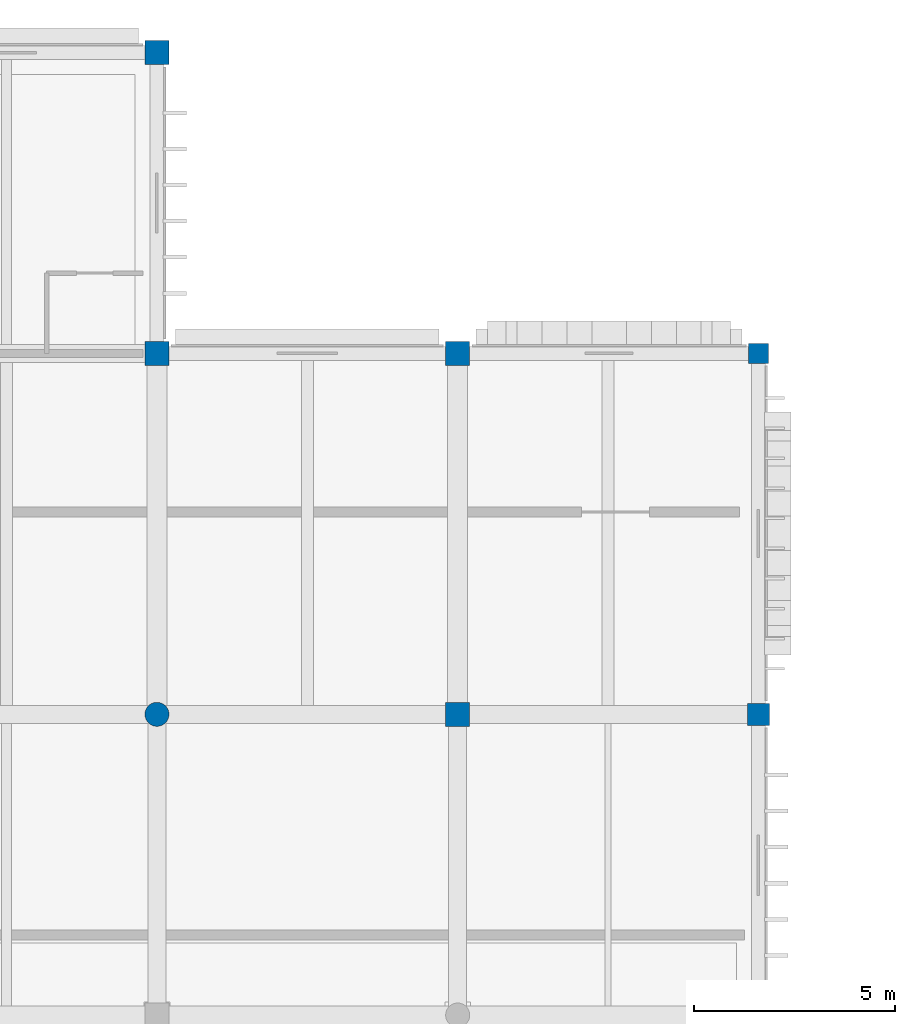
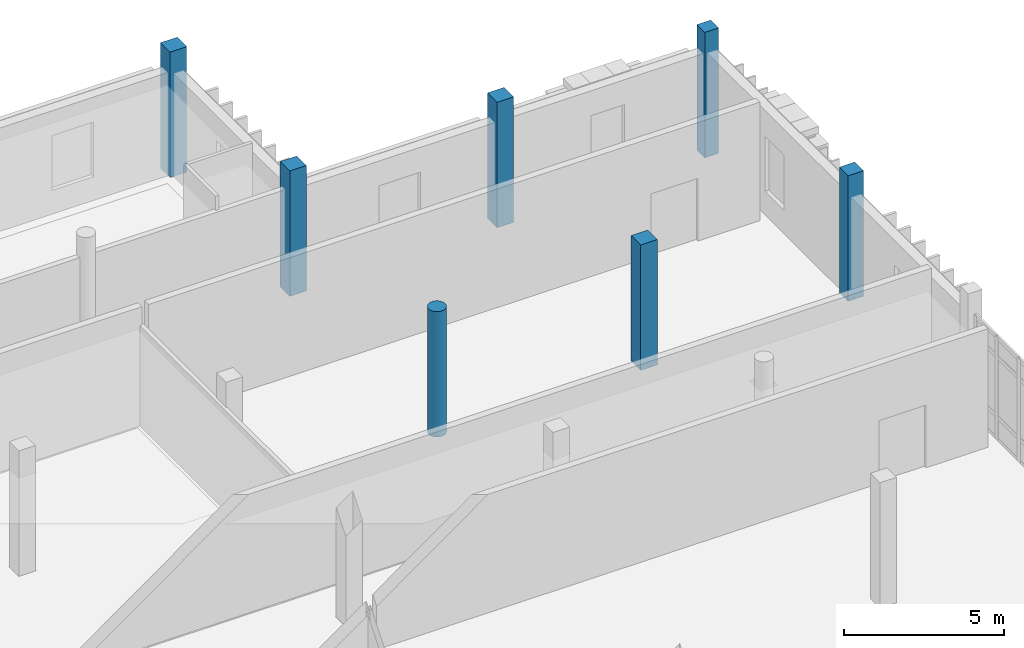
# One storey, part 15 of 131: 7 columns.
"""IFC4 building model written with IfcOpenShell, lengths in metres."""

from ifc_helpers import new_model, si_unit, direction, frame, origin, origin_2d, place, context, subcontext, project, spatial, rectangle, circle, extrude, material, material_profile, profile_set, type_object, element, save


model = new_model("IFC4")

# Units and contexts
model_context = context("Model", 3, precision=1e-05, world=origin(), true_north=direction((0.0, 1.0)))
body_context = subcontext(model_context, "Body", "Model", "MODEL_VIEW")
ifc_project = project(units=[si_unit("LENGTHUNIT", "METRE"), si_unit("AREAUNIT", "SQUARE_METRE"), si_unit("VOLUMEUNIT", "CUBIC_METRE"), si_unit("PLANEANGLEUNIT", "RADIAN"), si_unit("MASSUNIT", "GRAM", prefix="KILO")], contexts=[model_context])

# Site, building, storey
site_placement = place(None, origin())
site = spatial("IfcSite", under=ifc_project, at=site_placement, CompositionType="ELEMENT")
building_placement = place(site_placement, origin())
building = spatial("IfcBuilding", under=site, at=building_placement, Name="Dalvernix Boulevard General Hospital", CompositionType="ELEMENT")
storey_placement = place(building_placement, frame((0.0, 0.0, 9.300048828125)))
storey = spatial("IfcBuildingStorey", under=building, at=storey_placement, Name="L02", CompositionType="ELEMENT", Elevation=9.300048828125)

# Columns
ifc_material = material(Name="Concrete C40/50", Category="concrete")
ifc_material_profile_1 = material_profile(ifc_material, rectangle(XDim=0.60009765625, YDim=0.60009765625, at=origin_2d()), Name="RC 600x600")
ifc_profile_set_1 = profile_set([ifc_material_profile_1], Name="Concrete C40/50")
column_type_1 = type_object("IfcColumnType", Name="COL-C-07-E", PredefinedType="COLUMN", material=ifc_profile_set_1)
for number, where, z_axis, x_axis, name in (
    (1, (127.5, 109.5, 0.0), (0.0, 0.0, 1.0), (1.0, 0.0, 0.0), "L02 column 18Q"),
    (2, (127.5, 117.0, 0.0), (0.0, 0.0, 1.0), (1.0, 0.0, 0.0), "L02 column 18R"),
    (3, (135.0, 109.5, 0.0), (0.0, 0.0, 1.0), (1.0, 0.0, 0.0), "L02 column 19Q"),
):
    element("IfcColumn", number, at=place(storey_placement, frame(where, z_axis=z_axis, x_axis=x_axis)), inside=storey, type_object=column_type_1, Name=name, PredefinedType="COLUMN", context=body_context, shape_type="SweptSolid", body=[
        extrude(rectangle(XDim=0.60009765625, YDim=0.60009765625, at=origin_2d()), origin(), (0.0, 0.0, 1.0), 4.800048828125),
    ])
ifc_material_profile_2 = material_profile(ifc_material, rectangle(XDim=0.60009765625, YDim=0.60009765625, at=origin_2d()), Name="RC 600x600")
ifc_profile_set_2 = profile_set([ifc_material_profile_2], Name="Concrete C40/50")
column_type_2 = type_object("IfcColumnType", Name="COL-C-07-I", PredefinedType="COLUMN", material=ifc_profile_set_2)
column_1_placement = place(storey_placement, frame((135.0, 100.5, 0.0), z_axis=(0.0, 0.0, 1.0), x_axis=(1.0, 0.0, 0.0)))
element("IfcColumn", 4, at=column_1_placement, inside=storey, type_object=column_type_2, Name="L02 column 19P", PredefinedType="COLUMN", context=body_context, shape_type="SweptSolid", body=[
    extrude(rectangle(XDim=0.60009765625, YDim=0.60009765625, at=origin_2d()), origin(), (0.0, 0.0, 1.0), 4.800048828125),
])
ifc_material_profile_3 = material_profile(ifc_material, rectangle(XDim=0.550048828125, YDim=0.550048828125, at=origin_2d()), Name="RC 550x550")
ifc_profile_set_3 = profile_set([ifc_material_profile_3], Name="Concrete C40/50")
column_type_3 = type_object("IfcColumnType", Name="COL-C-08-E", PredefinedType="COLUMN", material=ifc_profile_set_3)
column_2_placement = place(storey_placement, frame((142.5, 100.5, 0.0), z_axis=(0.0, 0.0, 1.0), x_axis=(1.0, 0.0, 0.0)))
element("IfcColumn", 5, at=column_2_placement, inside=storey, type_object=column_type_3, Name="L02 column 20P", PredefinedType="COLUMN", context=body_context, shape_type="SweptSolid", body=[
    extrude(rectangle(XDim=0.550048828125, YDim=0.550048828125, at=origin_2d()), origin(), (0.0, 0.0, 1.0), 4.800048828125),
])
ifc_material_profile_4 = material_profile(ifc_material, rectangle(XDim=0.5, YDim=0.5, at=origin_2d()), Name="RC 500x500")
ifc_profile_set_4 = profile_set([ifc_material_profile_4], Name="Concrete C40/50")
column_type_4 = type_object("IfcColumnType", Name="COL-C-09-E", PredefinedType="COLUMN", material=ifc_profile_set_4)
column_3_placement = place(storey_placement, frame((142.5, 109.5, 0.0), z_axis=(0.0, 0.0, 1.0), x_axis=(1.0, 0.0, 0.0)))
element("IfcColumn", 6, at=column_3_placement, inside=storey, type_object=column_type_4, Name="L02 column 20Q", PredefinedType="COLUMN", context=body_context, shape_type="SweptSolid", body=[
    extrude(rectangle(XDim=0.5, YDim=0.5, at=origin_2d()), origin(), (0.0, 0.0, 1.0), 4.800048828125),
])
ifc_material_profile_5 = material_profile(ifc_material, circle(Radius=0.300048828125, at=origin_2d()), Name="RC D600")
ifc_profile_set_5 = profile_set([ifc_material_profile_5], Name="Concrete C40/50")
column_type_5 = type_object("IfcColumnType", Name="COL-C-15-I", PredefinedType="COLUMN", material=ifc_profile_set_5)
column_4_placement = place(storey_placement, frame((127.5, 100.5, 0.0), z_axis=(0.0, 0.0, 1.0), x_axis=(1.0, 0.0, 0.0)))
element("IfcColumn", 7, at=column_4_placement, inside=storey, type_object=column_type_5, Name="L02 column 18P", PredefinedType="COLUMN", context=body_context, shape_type="SweptSolid", body=[
    extrude(circle(Radius=0.300048828125, at=origin_2d()), origin(), (0.0, 0.0, 1.0), 4.800048828125),
])

save(model, "model.ifc")
